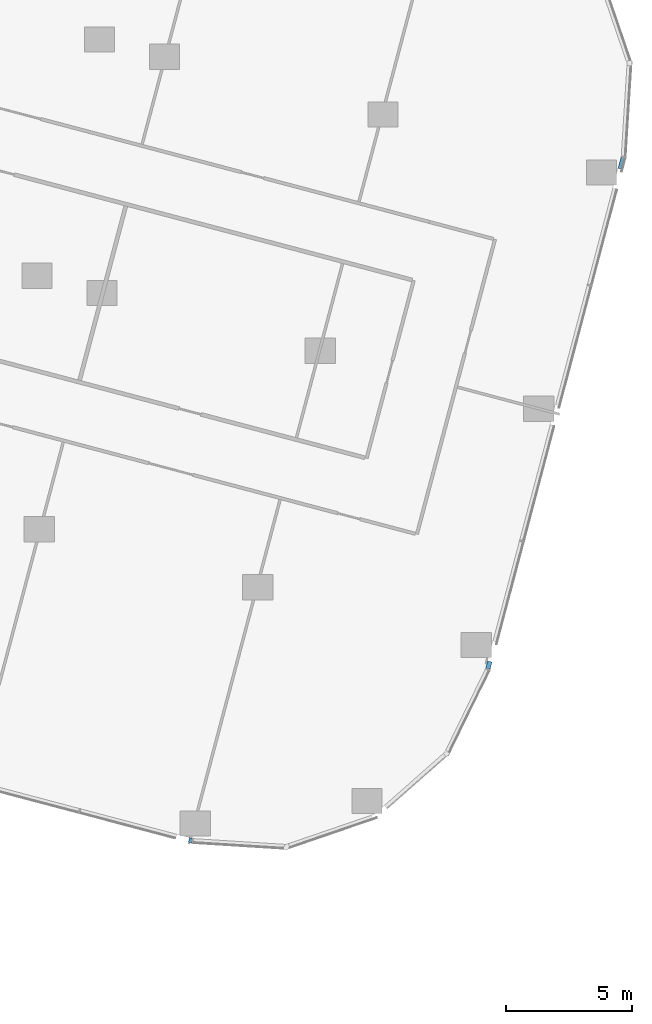
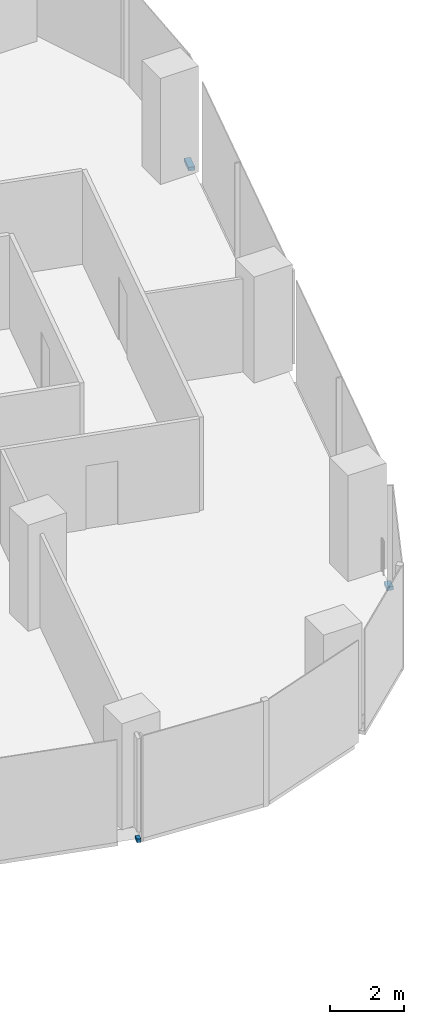
# One storey, part 17 of 34: 3 members, 2 elements without a shape of their own.
"""IFC4 building model written with IfcOpenShell, lengths in metres."""

from ifc_helpers import new_model, si_unit, direction, frame, origin, origin_2d, place, context, subcontext, project, spatial, rectangle, extrude, material, material_profile, profile_set, type_object, element, aggregate, save


model = new_model("IFC4")

# Units and contexts
model_context = context("Model", 3, precision=1e-05, world=origin(), true_north=direction((0.0, 1.0)))
body_context = subcontext(model_context, "Body", "Model", "MODEL_VIEW")
ifc_project = project(units=[si_unit("LENGTHUNIT", "METRE"), si_unit("AREAUNIT", "SQUARE_METRE"), si_unit("VOLUMEUNIT", "CUBIC_METRE"), si_unit("PLANEANGLEUNIT", "RADIAN"), si_unit("MASSUNIT", "GRAM", prefix="KILO")], contexts=[model_context])

# Site, building, storey
site_placement = place(None, origin())
site = spatial("IfcSite", under=ifc_project, at=site_placement, CompositionType="ELEMENT")
building_placement = place(site_placement, origin())
building = spatial("IfcBuilding", under=site, at=building_placement, Name="Orlundy Tower", CompositionType="ELEMENT")
storey_placement = place(building_placement, frame((0.0, 0.0, 105.699951171875)))
storey = spatial("IfcBuildingStorey", under=building, at=storey_placement, Name="L26", CompositionType="ELEMENT", Elevation=105.699951171875)

# Curtain wall, member
ifc_material_1 = material(Name="Aluminium bronze anodised", Category="aluminium")
curtain_wall_type = type_object("IfcCurtainWallType", Name="CW1 wall", PredefinedType="NOTDEFINED", material=ifc_material_1)
curtain_wall_1_placement = place(storey_placement, origin())
curtain_wall_1 = element("IfcCurtainWall", 1, at=curtain_wall_1_placement, inside=storey, type_object=curtain_wall_type, Name="CW1 run 00", PredefinedType="NOTDEFINED")
ifc_material_2 = material(Name="Aluminium bronze anodised", Category="aluminium")
ifc_material_profile = material_profile(ifc_material_2, rectangle(XDim=0.179931640625, YDim=0.1201171875, at=origin_2d()), Name="CW1 transom 180x120")
ifc_profile_set = profile_set([ifc_material_profile], Name="Aluminium bronze anodised")
member_type = type_object("IfcMemberType", Name="CW1 transom 180x120", PredefinedType="USERDEFINED", material=ifc_profile_set)
member_1_placement = place(storey_placement, frame((44.141357421875, -32.472900390625, -0.33984375), z_axis=(-0.966857319322, 0.255317300773, 0.0), x_axis=(-0.255317300773, -0.966857319322, 0.0)))
member_1 = element("IfcMember", 2, at=member_1_placement, type_object=member_type, Name="CW1 transom", ObjectType="TRANSOM", PredefinedType="USERDEFINED", context=body_context, shape_type="SweptSolid", body=[
    extrude(rectangle(XDim=0.179931640625, YDim=0.1201171875, at=origin_2d()), origin(), (0.0, 0.0, 1.0), 0.11669921875),
])
aggregate(curtain_wall_1, [member_1])

# Curtain wall, members
curtain_wall_2_placement = place(storey_placement, origin())
curtain_wall_2 = element("IfcCurtainWall", 3, at=curtain_wall_2_placement, inside=storey, type_object=curtain_wall_type, Name="CW1 run 023", PredefinedType="NOTDEFINED")
member_2_placement = place(storey_placement, frame((61.2548828125, -5.376708984375, -0.33984375), z_axis=(-0.256111169733, -0.966647334211, 0.0), x_axis=(0.966647334211, -0.256111169733, 0.0)))
member_2 = element("IfcMember", 4, at=member_2_placement, type_object=member_type, Name="CW1 transom", ObjectType="TRANSOM", PredefinedType="USERDEFINED", context=body_context, shape_type="SweptSolid", body=[
    extrude(rectangle(XDim=0.179931640625, YDim=0.1201171875, at=origin_2d()), origin(), (0.0, 0.0, 1.0), 0.46044921875),
])
member_3_placement = place(storey_placement, frame((55.96240234375, -25.362060546875, -0.33984375), z_axis=(-0.255801248584, -0.966729394, 0.0), x_axis=(0.966729394, -0.255801248584, 0.0)))
member_3 = element("IfcMember", 5, at=member_3_placement, type_object=member_type, Name="CW1 transom", ObjectType="TRANSOM", PredefinedType="USERDEFINED", context=body_context, shape_type="SweptSolid", body=[
    extrude(rectangle(XDim=0.179931640625, YDim=0.1201171875, at=origin_2d()), origin(), (0.0, 0.0, 1.0), 0.2939453125),
])
aggregate(curtain_wall_2, [member_2, member_3])

save(model, "model.ifc")
